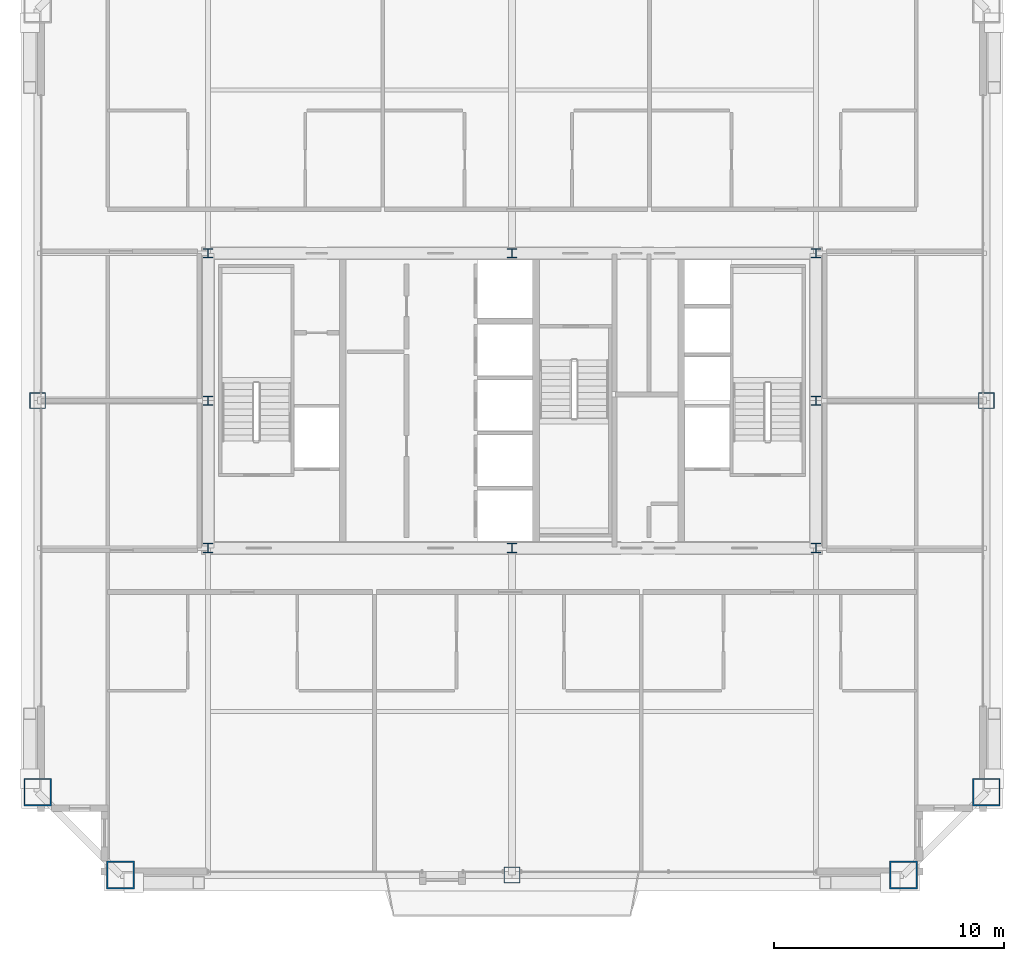
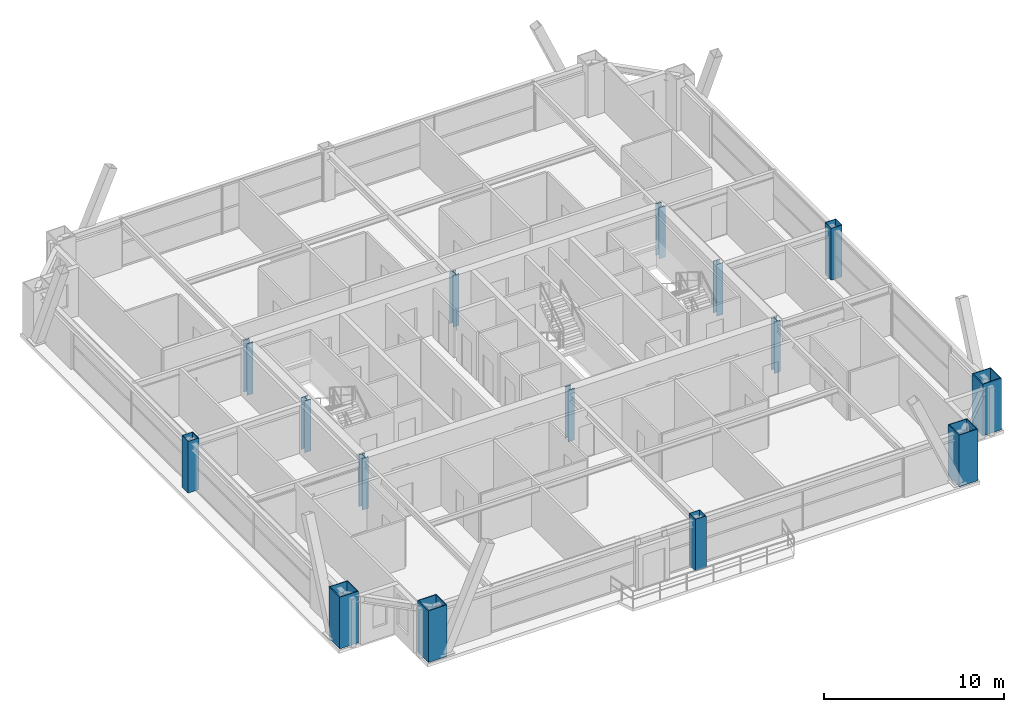
# One storey, part 1 of 34: 15 columns.
"""IFC4 building model written with IfcOpenShell, lengths in metres."""

from ifc_helpers import new_model, si_unit, direction, frame, origin, origin_2d, place, context, subcontext, project, spatial, hollow_rectangle, i_section, extrude, source, transform, mapped, material, material_profile, profile_set, type_object, element, save


model = new_model("IFC4")

# Units and contexts
model_context = context("Model", 3, precision=1e-05, world=origin(), true_north=direction((0.0, 1.0)))
body_context = subcontext(model_context, "Body", "Model", "MODEL_VIEW")
ifc_project = project(units=[si_unit("LENGTHUNIT", "METRE"), si_unit("AREAUNIT", "SQUARE_METRE"), si_unit("VOLUMEUNIT", "CUBIC_METRE"), si_unit("PLANEANGLEUNIT", "RADIAN"), si_unit("MASSUNIT", "GRAM", prefix="KILO"), si_unit("THERMODYNAMICTEMPERATUREUNIT", "KELVIN"), si_unit("POWERUNIT", "WATT")], contexts=[model_context])

# Site, building, storey
site_placement = place(None, origin())
site = spatial("IfcSite", under=ifc_project, at=site_placement, CompositionType="ELEMENT")
building_placement = place(site_placement, origin())
building = spatial("IfcBuilding", under=site, at=building_placement, Name="Yuzanri Waterfront Tower", CompositionType="ELEMENT")
storey_placement = place(building_placement, frame((0.0, 0.0, 241.60009765625)))
storey = spatial("IfcBuildingStorey", under=building, at=storey_placement, Name="L64", CompositionType="ELEMENT", Elevation=241.60009765625)

# Columns
ifc_material_1 = material(Name="Steel Q355B", Category="steel")
ifc_material_profile_1 = material_profile(ifc_material_1, i_section(OverallWidth=0.39990234375, OverallDepth=0.39990234375, WebThickness=0.012939453125, FlangeThickness=0.02099609375, at=origin_2d()), Name="HW 400x400x13x21")
ifc_profile_set_1 = profile_set([ifc_material_profile_1], Name="Steel Q355B")
column_type_1 = type_object("IfcColumnType", Name="Core Post Q355B HW 400x400x13x21", PredefinedType="COLUMN", material=ifc_profile_set_1)
shared_shape_1 = source(origin(), body_context, "Body", "SweptSolid", [
    extrude(i_section(OverallWidth=0.39990234375, OverallDepth=0.39990234375, WebThickness=0.012939453125, FlangeThickness=0.02099609375, at=origin_2d()), origin(), (0.0, 0.0, 1.0), 3.5),
])
for number, where, z_axis, x_axis, name in (
    (1, (23.800048828125, 19.39990234375, 0.0), (0.0, 0.0, 1.0), (1.0, 0.0, 0.0), "L64 Core Boundary Column CP1"),
    (2, (37.0, 19.39990234375, 0.0), (0.0, 0.0, 1.0), (1.0, 0.0, 0.0), "L64 Core Boundary Column CP2"),
    (3, (50.199951171875, 19.39990234375, 0.0), (0.0, 0.0, 1.0), (1.0, 0.0, 0.0), "L64 Core Boundary Column CP3"),
    (4, (23.800048828125, 25.800048828125, 0.0), (0.0, 0.0, 1.0), (1.0, 0.0, 0.0), "L64 Core Boundary Column CP4"),
    (5, (50.199951171875, 25.800048828125, 0.0), (0.0, 0.0, 1.0), (1.0, 0.0, 0.0), "L64 Core Boundary Column CP5"),
    (6, (23.800048828125, 32.199951171875, 0.0), (0.0, 0.0, 1.0), (1.0, 0.0, 0.0), "L64 Core Boundary Column CP6"),
    (7, (37.0, 32.199951171875, 0.0), (0.0, 0.0, 1.0), (1.0, 0.0, 0.0), "L64 Core Boundary Column CP7"),
    (8, (50.199951171875, 32.199951171875, 0.0), (0.0, 0.0, 1.0), (1.0, 0.0, 0.0), "L64 Core Boundary Column CP8"),
):
    element("IfcColumn", number, at=place(storey_placement, frame(where, z_axis=z_axis, x_axis=x_axis)), inside=storey, type_object=column_type_1, Name=name, PredefinedType="COLUMN", context=body_context, shape_type="MappedRepresentation", body=[
        mapped(shared_shape_1, transform((0.0, 0.0, 0.0), scale=1.0)),
    ])
ifc_material_2 = material(Name="Steel Q390GJC", Category="steel")
ifc_material_profile_2 = material_profile(ifc_material_2, hollow_rectangle(XDim=1.199951171875, YDim=1.199951171875, WallThickness=0.054931640625, at=origin_2d()), Name="RHS 1200x1200x55")
ifc_profile_set_2 = profile_set([ifc_material_profile_2], Name="Steel Q390GJC")
column_type_2 = type_object("IfcColumnType", Name="Mega Column Q390GJC RHS 1200x1200x55", PredefinedType="COLUMN", material=ifc_profile_set_2)
shared_shape_2 = source(origin(), body_context, "Body", "SweptSolid", [
    extrude(hollow_rectangle(XDim=1.199951171875, YDim=1.199951171875, WallThickness=0.054931640625, at=origin_2d()), origin(), (0.0, 0.0, 1.0), 3.5),
])
for number, where, z_axis, x_axis, name in (
    (9, (20.0, 5.199951171875, 0.0), (0.0, 0.0, 1.0), (1.0, 0.0, 0.0), "L64 Perimeter Mega Column S1"),
    (10, (54.0, 5.199951171875, 0.0), (0.0, 0.0, 1.0), (1.0, 0.0, 0.0), "L64 Perimeter Mega Column S3"),
    (11, (16.39990234375, 8.800048828125, 0.0), (0.0, 0.0, 1.0), (1.0, 0.0, 0.0), "L64 Perimeter Mega Column W1"),
    (12, (57.60009765625, 8.800048828125, 0.0), (0.0, 0.0, 1.0), (1.0, 0.0, 0.0), "L64 Perimeter Mega Column E1"),
):
    element("IfcColumn", number, at=place(storey_placement, frame(where, z_axis=z_axis, x_axis=x_axis)), inside=storey, type_object=column_type_2, Name=name, PredefinedType="COLUMN", context=body_context, shape_type="MappedRepresentation", body=[
        mapped(shared_shape_2, transform((0.0, 0.0, 0.0), scale=1.0)),
    ])
ifc_material_3 = material(Name="Steel Q355B", Category="steel")
ifc_material_profile_3 = material_profile(ifc_material_3, hollow_rectangle(XDim=0.699951171875, YDim=0.699951171875, WallThickness=0.031982421875, at=origin_2d()), Name="RHS 700x700x32")
ifc_profile_set_3 = profile_set([ifc_material_profile_3], Name="Steel Q355B")
column_type_3 = type_object("IfcColumnType", Name="Frame Column Q355B RHS 700x700x32", PredefinedType="COLUMN", material=ifc_profile_set_3)
shared_shape_3 = source(origin(), body_context, "Body", "SweptSolid", [
    extrude(hollow_rectangle(XDim=0.699951171875, YDim=0.699951171875, WallThickness=0.031982421875, at=origin_2d()), origin(), (0.0, 0.0, 1.0), 3.5),
])
for number, where, z_axis, x_axis, name in (
    (13, (37.0, 5.199951171875, 0.0), (0.0, 0.0, 1.0), (1.0, 0.0, 0.0), "L64 Perimeter Frame Column S2"),
    (14, (16.39990234375, 25.800048828125, 0.0), (0.0, 0.0, 1.0), (1.0, 0.0, 0.0), "L64 Perimeter Frame Column W2"),
    (15, (57.60009765625, 25.800048828125, 0.0), (0.0, 0.0, 1.0), (1.0, 0.0, 0.0), "L64 Perimeter Frame Column E2"),
):
    element("IfcColumn", number, at=place(storey_placement, frame(where, z_axis=z_axis, x_axis=x_axis)), inside=storey, type_object=column_type_3, Name=name, PredefinedType="COLUMN", context=body_context, shape_type="MappedRepresentation", body=[
        mapped(shared_shape_3, transform((0.0, 0.0, 0.0), scale=1.0)),
    ])

save(model, "model.ifc")
